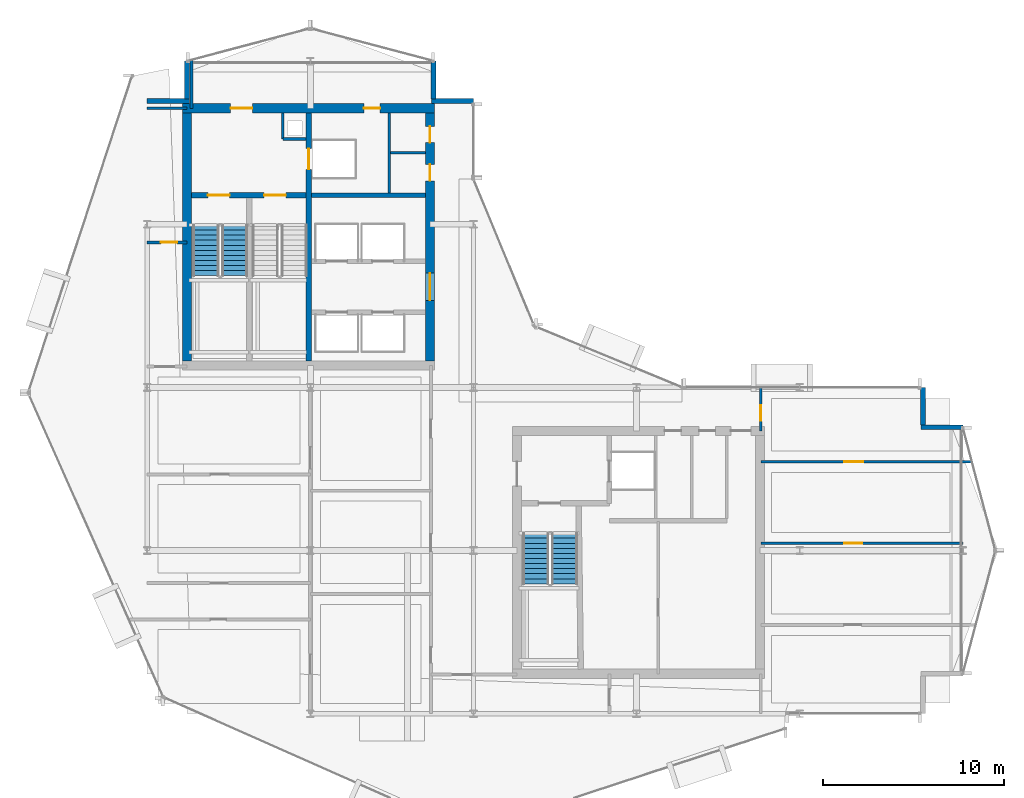
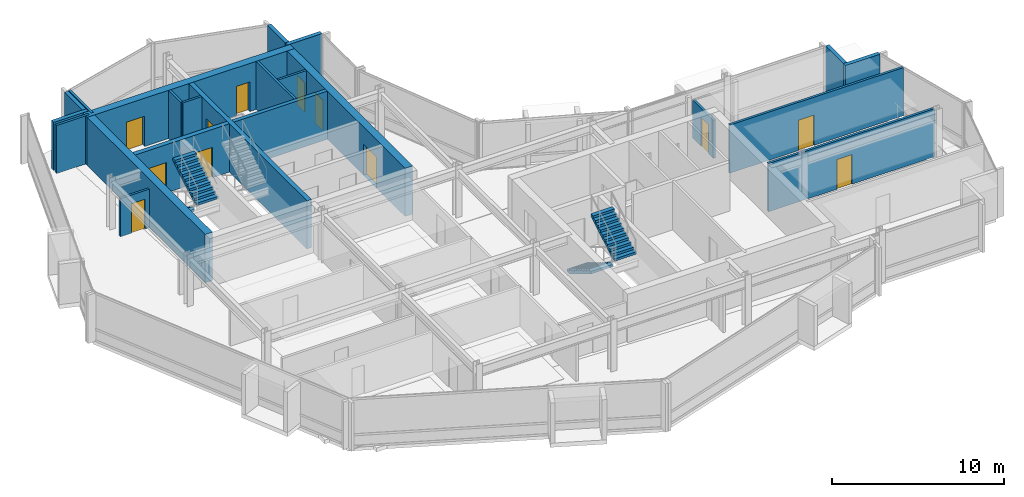
# One storey, part 21 of 28: 22 walls, 12 doors, 4 stair flights, 12 openings, 2 elements without a shape of their own.
"""IFC4 building model written with IfcOpenShell, lengths in metres."""

from ifc_helpers import new_model, si_unit, direction, frame, frame_2d, origin, place, context, subcontext, project, spatial, polyline, rectangle, outline, extrude, material, layer, layer_set, type_object, element, fill, aggregate, save


model = new_model("IFC4")

# Units and contexts
model_context = context("Model", 3, precision=1e-05, world=origin(), true_north=direction((0.0, 1.0)))
body_context = subcontext(model_context, "Body", "Model", "MODEL_VIEW")
ifc_project = project(units=[si_unit("LENGTHUNIT", "METRE"), si_unit("AREAUNIT", "SQUARE_METRE"), si_unit("VOLUMEUNIT", "CUBIC_METRE"), si_unit("PLANEANGLEUNIT", "RADIAN"), si_unit("MASSUNIT", "GRAM", prefix="KILO")], contexts=[model_context])

# Site, building, storey
site_placement = place(None, origin())
site = spatial("IfcSite", under=ifc_project, at=site_placement, CompositionType="ELEMENT")
building_placement = place(site_placement, origin())
building = spatial("IfcBuilding", under=site, at=building_placement, Name="Solvaryn Broadcast Tower", CompositionType="ELEMENT")
storey_placement = place(building_placement, frame((0.0, 0.0, 217.300048828125)))
storey = spatial("IfcBuildingStorey", under=building, at=storey_placement, Name="L54", CompositionType="ELEMENT", Elevation=217.300048828125)

# Wall, openings, doors
ifc_material_1 = material(Name="Concrete f'c 70 MPa", Category="concrete")
ifc_layer_1 = layer(ifc_material_1, 0.5)
ifc_layer_set_1 = layer_set([ifc_layer_1], Name="CW-SHEAR-500")
wall_type_1 = type_object("IfcWallType", Name="CW-SHEAR-500", PredefinedType="SHEAR", material=ifc_layer_set_1)
wall_1_placement = place(storey_placement, frame((24.85009765625, 42.39990234375, 0.0), z_axis=(0.0, 0.0, 1.0), x_axis=(-1.0, 0.0, 0.0)))
wall_1 = element("IfcWall", 1, at=wall_1_placement, inside=storey, type_object=wall_type_1, Name="L54 West Core North Shear Wall", PredefinedType="SHEAR", context=body_context, shape_type="SweptSolid", body=[
    extrude(rectangle(XDim=13.900146484375, YDim=0.5, at=frame_2d((6.9501953125, 0.0))), origin(), (0.0, 0.0, 1.0), 3.419921875),
])
opening_1_placement = place(wall_1_placement, frame((10.050048828125, 0.0, 0.0)))
opening_1 = element("IfcOpeningElement", 2, at=opening_1_placement, cuts=wall_1, Name="Opening FD90A", PredefinedType="OPENING", context=body_context, shape_type="SweptSolid", body=[
    extrude(rectangle(XDim=1.199951171875, YDim=2.14990234375, at=frame_2d((0.60009765625, 1.074951171875))), frame((0.0, 0.260009765625, 0.0), z_axis=(0.0, -1.0, 0.0), x_axis=(1.0, 0.0, 0.0)), (0.0, 0.0, 1.0), 0.52001953125),
])
opening_2_placement = place(wall_1_placement, frame((3.0, 0.0, 0.0)))
opening_2 = element("IfcOpeningElement", 3, at=opening_2_placement, cuts=wall_1, Name="Opening FD60C", PredefinedType="OPENING", context=body_context, shape_type="SweptSolid", body=[
    extrude(rectangle(XDim=0.89990234375, YDim=2.10009765625, at=frame_2d((0.449951171875, 1.050048828125))), frame((0.0, 0.260009765625, 0.0), z_axis=(0.0, -1.0, 0.0), x_axis=(1.0, 0.0, 0.0)), (0.0, 0.0, 1.0), 0.52001953125),
])
ifc_material_2 = material(Name="Flush Acoustic Steel and Timber Door Assembly", Category="steel")
door_type_1 = type_object("IfcDoorType", Name="FD60-SERV-900X2100", OperationType="NOTDEFINED", PredefinedType="DOOR", material=ifc_material_2)
door_1_placement = place(opening_2_placement, origin())
door_1 = element("IfcDoor", 4, at=door_1_placement, inside=storey, type_object=door_type_1, Name="L54 West Core Fiber Riser Door", OperationType="SINGLE_SWING_RIGHT", OverallHeight=2.10009765625, OverallWidth=0.89990234375, PredefinedType="DOOR", context=body_context, shape_type="SweptSolid", body=[
    extrude(rectangle(XDim=0.89990234375, YDim=2.10009765625, at=frame_2d((0.449951171875, 1.050048828125))), frame((0.0, 0.02490234375, 0.0), z_axis=(0.0, -1.0, 0.0), x_axis=(1.0, 0.0, 0.0)), (0.0, 0.0, 1.0), 0.050048828125),
])
fill(opening_2, door_1)
ifc_material_3 = material(Name="Flush Acoustic Steel and Timber Door Assembly", Category="steel")
door_type_2 = type_object("IfcDoorType", Name="FD90-STAIR-1200X2150", OperationType="NOTDEFINED", PredefinedType="DOOR", material=ifc_material_3)
door_2_placement = place(opening_1_placement, origin())
door_2 = element("IfcDoor", 5, at=door_2_placement, inside=storey, type_object=door_type_2, Name="L54 West FSAE Lobby Corridor Door", OperationType="SINGLE_SWING_LEFT", OverallHeight=2.14990234375, OverallWidth=1.199951171875, PredefinedType="DOOR", context=body_context, shape_type="SweptSolid", body=[
    extrude(rectangle(XDim=1.199951171875, YDim=2.14990234375, at=frame_2d((0.60009765625, 1.074951171875))), frame((0.0, 0.02490234375, 0.0), z_axis=(0.0, -1.0, 0.0), x_axis=(1.0, 0.0, 0.0)), (0.0, 0.0, 1.0), 0.050048828125),
])
fill(opening_1, door_2)

# Wall
wall_2_placement = place(storey_placement, frame((11.199951171875, 42.14990234375, 0.0), z_axis=(0.0, 0.0, 1.0), x_axis=(0.0, -1.0, 0.0)))
element("IfcWall", 6, at=wall_2_placement, inside=storey, type_object=wall_type_1, Name="L54 West Core West Shear Wall", PredefinedType="SHEAR", context=body_context, shape_type="SweptSolid", body=[
    extrude(rectangle(XDim=13.699951171875, YDim=0.5, at=frame_2d((6.85009765625, 0.0))), origin(), (0.0, 0.0, 1.0), 3.419921875),
])

# Wall, openings, doors
wall_3_placement = place(storey_placement, frame((24.60009765625, 28.449951171875, 0.0), z_axis=(0.0, 0.0, 1.0), x_axis=(0.0, 1.0, 0.0)))
wall_3 = element("IfcWall", 7, at=wall_3_placement, inside=storey, type_object=wall_type_1, Name="L54 West Core East Shear Wall", PredefinedType="SHEAR", context=body_context, shape_type="SweptSolid", body=[
    extrude(rectangle(XDim=13.699951171875, YDim=0.5, at=frame_2d((6.85009765625, 0.0))), origin(), (0.0, 0.0, 1.0), 3.419921875),
])
opening_3_placement = place(wall_3_placement, frame((3.35009765625, 0.0, 0.0)))
opening_3 = element("IfcOpeningElement", 8, at=opening_3_placement, cuts=wall_3, Name="Opening FD60A", PredefinedType="OPENING", context=body_context, shape_type="SweptSolid", body=[
    extrude(rectangle(XDim=1.5, YDim=2.199951171875, at=frame_2d((0.75, 1.10009765625))), frame((0.0, 0.260009765625, 0.0), z_axis=(0.0, -1.0, 0.0), x_axis=(1.0, 0.0, 0.0)), (0.0, 0.0, 1.0), 0.52001953125),
])
opening_4_placement = place(wall_3_placement, frame((9.949951171875, 0.0, 0.0)))
opening_4 = element("IfcOpeningElement", 9, at=opening_4_placement, cuts=wall_3, Name="Opening FD60C", PredefinedType="OPENING", context=body_context, shape_type="SweptSolid", body=[
    extrude(rectangle(XDim=0.89990234375, YDim=2.10009765625, at=frame_2d((0.449951171875, 1.050048828125))), frame((0.0, 0.260009765625, 0.0), z_axis=(0.0, -1.0, 0.0), x_axis=(1.0, 0.0, 0.0)), (0.0, 0.0, 1.0), 0.52001953125),
])
opening_5_placement = place(wall_3_placement, frame((12.050048828125, 0.0, 0.0)))
opening_5 = element("IfcOpeningElement", 10, at=opening_5_placement, cuts=wall_3, Name="Opening FD60C", PredefinedType="OPENING", context=body_context, shape_type="SweptSolid", body=[
    extrude(rectangle(XDim=0.89990234375, YDim=2.10009765625, at=frame_2d((0.449951171875, 1.050048828125))), frame((0.0, 0.260009765625, 0.0), z_axis=(0.0, -1.0, 0.0), x_axis=(1.0, 0.0, 0.0)), (0.0, 0.0, 1.0), 0.52001953125),
])
ifc_material_4 = material(Name="Flush Acoustic Steel and Timber Door Assembly", Category="steel")
door_type_3 = type_object("IfcDoorType", Name="FD60-CORR-1500X2200", OperationType="NOTDEFINED", PredefinedType="DOOR", material=ifc_material_4)
door_3_placement = place(opening_3_placement, origin())
door_3 = element("IfcDoor", 11, at=door_3_placement, inside=storey, type_object=door_type_3, Name="L54 West Elevator Lobby Corridor Door", OperationType="DOUBLE_DOOR_SINGLE_SWING", OverallHeight=2.199951171875, OverallWidth=1.5, PredefinedType="DOOR", context=body_context, shape_type="SweptSolid", body=[
    extrude(rectangle(XDim=1.5, YDim=2.199951171875, at=frame_2d((0.75, 1.10009765625))), frame((0.0, 0.02490234375, 0.0), z_axis=(0.0, -1.0, 0.0), x_axis=(1.0, 0.0, 0.0)), (0.0, 0.0, 1.0), 0.050048828125),
])
fill(opening_3, door_3)
door_4_placement = place(opening_4_placement, origin())
door_4 = element("IfcDoor", 12, at=door_4_placement, inside=storey, type_object=door_type_1, Name="L54 West Core Service Door 1", OperationType="SINGLE_SWING_LEFT", OverallHeight=2.10009765625, OverallWidth=0.89990234375, PredefinedType="DOOR", context=body_context, shape_type="SweptSolid", body=[
    extrude(rectangle(XDim=0.89990234375, YDim=2.10009765625, at=frame_2d((0.449951171875, 1.050048828125))), frame((0.0, 0.02490234375, 0.0), z_axis=(0.0, -1.0, 0.0), x_axis=(1.0, 0.0, 0.0)), (0.0, 0.0, 1.0), 0.050048828125),
])
fill(opening_4, door_4)
door_5_placement = place(opening_5_placement, origin())
door_5 = element("IfcDoor", 13, at=door_5_placement, inside=storey, type_object=door_type_1, Name="L54 West Core Janitor Door", OperationType="SINGLE_SWING_RIGHT", OverallHeight=2.10009765625, OverallWidth=0.89990234375, PredefinedType="DOOR", context=body_context, shape_type="SweptSolid", body=[
    extrude(rectangle(XDim=0.89990234375, YDim=2.10009765625, at=frame_2d((0.449951171875, 1.050048828125))), frame((0.0, 0.02490234375, 0.0), z_axis=(0.0, -1.0, 0.0), x_axis=(1.0, 0.0, 0.0)), (0.0, 0.0, 1.0), 0.050048828125),
])
fill(opening_5, door_5)

# Walls
ifc_material_5 = material(Name="Concrete f'c 50 MPa", Category="concrete")
ifc_layer_2 = layer(ifc_material_5, 0.260009765625)
ifc_layer_set_2 = layer_set([ifc_layer_2], Name="EW-PIER-260")
wall_type_2 = type_object("IfcWallType", Name="EW-PIER-260", PredefinedType="SOLIDWALL", material=ifc_layer_set_2)
wall_4_placement = place(storey_placement, frame((9.0, 42.800048828125, 0.0), z_axis=(0.0, 0.0, 1.0), x_axis=(1.0, 0.0, 0.0)))
element("IfcWall", 14, at=wall_4_placement, inside=storey, type_object=wall_type_2, Name="L54 Notched Corner Pier Wall NNW1", PredefinedType="SOLIDWALL", context=body_context, shape_type="SweptSolid", body=[
    extrude(rectangle(XDim=2.320068359375, YDim=0.260009765625, at=frame_2d((1.16015625, 0.0))), origin(), (0.0, 0.0, 1.0), 3.419921875),
])
for number, where, z_axis, x_axis, name in (
    (15, (11.199951171875, 42.919921875, 0.0), (0.0, 0.0, 1.0), (0.0, 1.0, 0.0), "L54 Notched Corner Pier Wall NNW2"),
    (16, (24.800048828125, 45.0, 0.0), (0.0, 0.0, 1.0), (0.0, -1.0, 0.0), "L54 Notched Corner Pier Wall NNE1"),
):
    element("IfcWall", number, at=place(storey_placement, frame(where, z_axis=z_axis, x_axis=x_axis)), inside=storey, type_object=wall_type_2, Name=name, PredefinedType="SOLIDWALL", context=body_context, shape_type="SweptSolid", body=[
        extrude(rectangle(XDim=2.080078125, YDim=0.260009765625, at=frame_2d((1.0400390625, 0.0))), origin(), (0.0, 0.0, 1.0), 3.419921875),
    ])
for number, where, z_axis, x_axis, name in (
    (17, (24.679931640625, 42.800048828125, 0.0), (0.0, 0.0, 1.0), (1.0, 0.0, 0.0), "L54 Notched Corner Pier Wall NNE2"),
    (18, (54.0, 24.800048828125, 0.0), (0.0, 0.0, 1.0), (-1.0, 0.0, 0.0), "L54 Notched Corner Pier Wall NEE1"),
):
    element("IfcWall", number, at=place(storey_placement, frame(where, z_axis=z_axis, x_axis=x_axis)), inside=storey, type_object=wall_type_2, Name=name, PredefinedType="SOLIDWALL", context=body_context, shape_type="SweptSolid", body=[
        extrude(rectangle(XDim=2.320068359375, YDim=0.260009765625, at=frame_2d((1.16015625, 0.0))), origin(), (0.0, 0.0, 1.0), 3.419921875),
    ])
wall_5_placement = place(storey_placement, frame((51.800048828125, 24.919921875, 0.0), z_axis=(0.0, 0.0, 1.0), x_axis=(0.0, 1.0, 0.0)))
element("IfcWall", 19, at=wall_5_placement, inside=storey, type_object=wall_type_2, Name="L54 Notched Corner Pier Wall NEE2", PredefinedType="SOLIDWALL", context=body_context, shape_type="SweptSolid", body=[
    extrude(rectangle(XDim=2.080078125, YDim=0.260009765625, at=frame_2d((1.0400390625, 0.0))), origin(), (0.0, 0.0, 1.0), 3.419921875),
])
ifc_material_6 = material(Name="Metal-Stud Service Core Partition")
ifc_layer_3 = layer(ifc_material_6, 0.14990234375)
ifc_layer_set_3 = layer_set([ifc_layer_3], Name="IW-PART-150")
wall_type_3 = type_object("IfcWallType", Name="IW-PART-150", PredefinedType="PARTITIONING", material=ifc_layer_set_3)
wall_6_placement = place(storey_placement, frame((16.47998046875, 40.699951171875, 0.0), z_axis=(0.0, 0.0, 1.0), x_axis=(1.0, 0.0, 0.0)))
element("IfcWall", 20, at=wall_6_placement, inside=storey, type_object=wall_type_3, Name="L54 West Core Riser Shaft South Wall", PredefinedType="PARTITIONING", context=body_context, shape_type="SweptSolid", body=[
    extrude(rectangle(XDim=1.2900390625, YDim=0.14990234375, at=frame_2d((0.64501953125, 0.0))), origin(), (0.0, 0.0, 1.0), 3.419921875),
])
wall_7_placement = place(storey_placement, frame((16.47998046875, 40.699951171875, 0.0), z_axis=(0.0, 0.0, 1.0), x_axis=(0.0, 1.0, 0.0)))
element("IfcWall", 21, at=wall_7_placement, inside=storey, type_object=wall_type_3, Name="L54 West Core Riser Shaft West Wall", PredefinedType="PARTITIONING", context=body_context, shape_type="SweptSolid", body=[
    extrude(rectangle(XDim=1.449951171875, YDim=0.14990234375, at=frame_2d((0.72509765625, 0.0))), origin(), (0.0, 0.0, 1.0), 3.419921875),
])
wall_8_placement = place(storey_placement, frame((22.35009765625, 37.72998046875, 0.0), z_axis=(0.0, 0.0, 1.0), x_axis=(0.0, 1.0, 0.0)))
element("IfcWall", 22, at=wall_8_placement, inside=storey, type_object=wall_type_3, Name="L54 Interior Partition IW-L54-CWS-V", PredefinedType="PARTITIONING", context=body_context, shape_type="SweptSolid", body=[
    extrude(rectangle(XDim=4.419921875, YDim=0.14990234375, at=frame_2d((2.2099609375, 0.0))), origin(), (0.0, 0.0, 1.0), 3.419921875),
])
wall_9_placement = place(storey_placement, frame((22.429931640625, 39.949951171875, 0.0), z_axis=(0.0, 0.0, 1.0), x_axis=(1.0, 0.0, 0.0)))
element("IfcWall", 23, at=wall_9_placement, inside=storey, type_object=wall_type_3, Name="L54 Interior Partition IW-L54-CWS-H", PredefinedType="PARTITIONING", context=body_context, shape_type="SweptSolid", body=[
    extrude(rectangle(XDim=1.920166015625, YDim=0.14990234375, at=frame_2d((0.9599609375, 0.0))), origin(), (0.0, 0.0, 1.0), 3.419921875),
])

# Wall, opening, door
wall_10_placement = place(storey_placement, frame((9.0, 35.0, 0.0), z_axis=(0.0, 0.0, 1.0), x_axis=(1.0, 0.0, 0.0)))
wall_10 = element("IfcWall", 24, at=wall_10_placement, inside=storey, type_object=wall_type_3, Name="L54 Interior Partition IW-L54-WM-M", PredefinedType="PARTITIONING", context=body_context, shape_type="SweptSolid", body=[
    extrude(rectangle(XDim=2.199951171875, YDim=0.14990234375, at=frame_2d((1.10009765625, 0.0))), origin(), (0.0, 0.0, 1.0), 2.70703125),
])
opening_6_placement = place(wall_10_placement, frame((0.75, 0.0, 0.0)))
opening_6 = element("IfcOpeningElement", 25, at=opening_6_placement, cuts=wall_10, Name="Opening FD60C", PredefinedType="OPENING", context=body_context, shape_type="SweptSolid", body=[
    extrude(rectangle(XDim=0.89990234375, YDim=2.10009765625, at=frame_2d((0.449951171875, 1.050048828125))), frame((0.0, 0.0849609375, 0.0), z_axis=(0.0, -1.0, 0.0), x_axis=(1.0, 0.0, 0.0)), (0.0, 0.0, 1.0), 0.169921875),
])
door_6_placement = place(opening_6_placement, origin())
door_6 = element("IfcDoor", 26, at=door_6_placement, inside=storey, type_object=door_type_1, Name="L54 Door DR-L54-WM1", OperationType="SINGLE_SWING_LEFT", OverallHeight=2.10009765625, OverallWidth=0.89990234375, PredefinedType="DOOR", context=body_context, shape_type="SweptSolid", body=[
    extrude(rectangle(XDim=0.89990234375, YDim=2.10009765625, at=frame_2d((0.449951171875, 1.050048828125))), frame((0.0, 0.02490234375, 0.0), z_axis=(0.0, -1.0, 0.0), x_axis=(1.0, 0.0, 0.0)), (0.0, 0.0, 1.0), 0.050048828125),
])
fill(opening_6, door_6)

# Walls
ifc_material_7 = material(Name="Metal-Stud Gypsum Office Partition")
ifc_layer_4 = layer(ifc_material_7, 0.159912109375)
ifc_layer_set_4 = layer_set([ifc_layer_4], Name="IW-PART-160")
wall_type_4 = type_object("IfcWallType", Name="IW-PART-160", PredefinedType="PARTITIONING", material=ifc_layer_set_4)
wall_11_placement = place(storey_placement, frame((9.0, 42.39990234375, 0.0), z_axis=(0.0, 0.0, 1.0), x_axis=(1.0, 0.0, 0.0)))
element("IfcWall", 27, at=wall_11_placement, inside=storey, type_object=wall_type_4, Name="L54 Interior Partition IW-L54-WM-N", PredefinedType="PARTITIONING", context=body_context, shape_type="SweptSolid", body=[
    extrude(rectangle(XDim=2.199951171875, YDim=0.159912109375, at=frame_2d((1.10009765625, 0.0))), origin(), (0.0, 0.0, 1.0), 3.419921875),
])
wall_12_placement = place(storey_placement, frame((11.449951171875, 42.39990234375, 0.0), z_axis=(0.0, 0.0, 1.0), x_axis=(0.0, 1.0, 0.0)))
element("IfcWall", 28, at=wall_12_placement, inside=storey, type_object=wall_type_4, Name="L54 Interior Partition IW-L54-WM-E", PredefinedType="PARTITIONING", context=body_context, shape_type="SweptSolid", body=[
    extrude(rectangle(XDim=2.666015625, YDim=0.159912109375, at=frame_2d((1.3330078125, 0.0))), origin(), (0.0, 0.0, 1.0), 3.419921875),
])

# Wall, opening, door
wall_13_placement = place(storey_placement, frame((42.85009765625, 24.60009765625, 0.0), z_axis=(0.0, 0.0, 1.0), x_axis=(0.0, 1.0, 0.0)))
wall_13 = element("IfcWall", 29, at=wall_13_placement, inside=storey, type_object=wall_type_4, Name="L54 Interior Partition IW-L54-EW-BN", PredefinedType="PARTITIONING", context=body_context, shape_type="SweptSolid", body=[
    extrude(rectangle(XDim=2.39990234375, YDim=0.159912109375, at=frame_2d((1.199951171875, 0.0))), origin(), (0.0, 0.0, 1.0), 2.70703125),
])
opening_7_placement = place(wall_13_placement, frame((0.550048828125, 0.0, 0.0)))
opening_7 = element("IfcOpeningElement", 30, at=opening_7_placement, cuts=wall_13, Name="Opening ID07", PredefinedType="OPENING", context=body_context, shape_type="SweptSolid", body=[
    extrude(rectangle(XDim=0.860107421875, YDim=2.050048828125, at=frame_2d((0.43017578125, 1.02490234375))), frame((0.0, 0.090087890625, 0.0), z_axis=(0.0, -1.0, 0.0), x_axis=(1.0, 0.0, 0.0)), (0.0, 0.0, 1.0), 0.179931640625),
])
ifc_material_8 = material(Name="Flush Acoustic Steel and Timber Door Assembly", Category="steel")
door_type_4 = type_object("IfcDoorType", Name="ID-07-860X2050", OperationType="NOTDEFINED", PredefinedType="DOOR", material=ifc_material_8)
door_7_placement = place(opening_7_placement, origin())
door_7 = element("IfcDoor", 31, at=door_7_placement, inside=storey, type_object=door_type_4, Name="L54 Door DR-L54-EW0", OperationType="SINGLE_SWING_RIGHT", OverallHeight=2.050048828125, OverallWidth=0.860107421875, PredefinedType="DOOR", context=body_context, shape_type="SweptSolid", body=[
    extrude(rectangle(XDim=0.860107421875, YDim=2.050048828125, at=frame_2d((0.43017578125, 1.02490234375))), frame((0.0, 0.02490234375, 0.0), z_axis=(0.0, -1.0, 0.0), x_axis=(1.0, 0.0, 0.0)), (0.0, 0.0, 1.0), 0.050048828125),
])
fill(opening_7, door_7)

wall_14_placement = place(storey_placement, frame((42.85009765625, 18.39990234375, 0.0), z_axis=(0.0, 0.0, 1.0), x_axis=(1.0, 0.0, 0.0)))
wall_14 = element("IfcWall", 32, at=wall_14_placement, inside=storey, type_object=wall_type_4, Name="L54 Interior Partition IW-L54-EW-H2", PredefinedType="PARTITIONING", context=body_context, shape_type="SweptSolid", body=[
    extrude(rectangle(XDim=11.14990234375, YDim=0.159912109375, at=frame_2d((5.574951171875, 0.0))), origin(), (0.0, 0.0, 1.0), 3.419921875),
])
opening_8_placement = place(wall_14_placement, frame((4.60009765625, 0.0, 0.0)))
opening_8 = element("IfcOpeningElement", 33, at=opening_8_placement, cuts=wall_14, Name="Opening ID02", PredefinedType="OPENING", context=body_context, shape_type="SweptSolid", body=[
    extrude(rectangle(XDim=1.0, YDim=2.10009765625, at=frame_2d((0.5, 1.050048828125))), frame((0.0, 0.090087890625, 0.0), z_axis=(0.0, -1.0, 0.0), x_axis=(1.0, 0.0, 0.0)), (0.0, 0.0, 1.0), 0.179931640625),
])
ifc_material_9 = material(Name="Flush Acoustic Steel and Timber Door Assembly", Category="steel")
door_type_5 = type_object("IfcDoorType", Name="ID-02-1000X2100", OperationType="NOTDEFINED", PredefinedType="DOOR", material=ifc_material_9)
door_8_placement = place(opening_8_placement, origin())
door_8 = element("IfcDoor", 34, at=door_8_placement, inside=storey, type_object=door_type_5, Name="L54 Door DR-L54-EW-2", OperationType="SINGLE_SWING_RIGHT", OverallHeight=2.10009765625, OverallWidth=1.0, PredefinedType="DOOR", context=body_context, shape_type="SweptSolid", body=[
    extrude(rectangle(XDim=1.0, YDim=2.10009765625, at=frame_2d((0.5, 1.050048828125))), frame((0.0, 0.02490234375, 0.0), z_axis=(0.0, -1.0, 0.0), x_axis=(1.0, 0.0, 0.0)), (0.0, 0.0, 1.0), 0.050048828125),
])
fill(opening_8, door_8)

wall_15_placement = place(storey_placement, frame((42.85009765625, 22.89990234375, 0.0), z_axis=(0.0, 0.0, 1.0), x_axis=(1.0, 0.0, 0.0)))
wall_15 = element("IfcWall", 35, at=wall_15_placement, inside=storey, type_object=wall_type_4, Name="L54 Interior Partition IW-L54-EW-H3", PredefinedType="PARTITIONING", context=body_context, shape_type="SweptSolid", body=[
    extrude(rectangle(XDim=11.65283203125, YDim=0.159912109375, at=frame_2d((5.826416015625, 0.0))), origin(), (0.0, 0.0, 1.0), 3.419921875),
])
opening_9_placement = place(wall_15_placement, frame((4.60009765625, 0.0, 0.0)))
opening_9 = element("IfcOpeningElement", 36, at=opening_9_placement, cuts=wall_15, Name="Opening ID03", PredefinedType="OPENING", context=body_context, shape_type="SweptSolid", body=[
    extrude(rectangle(XDim=1.050048828125, YDim=2.14990234375, at=frame_2d((0.52490234375, 1.074951171875))), frame((0.0, 0.090087890625, 0.0), z_axis=(0.0, -1.0, 0.0), x_axis=(1.0, 0.0, 0.0)), (0.0, 0.0, 1.0), 0.179931640625),
])
ifc_material_10 = material(Name="Flush Acoustic Steel and Timber Door Assembly", Category="steel")
door_type_6 = type_object("IfcDoorType", Name="ID-03-1050X2150", OperationType="NOTDEFINED", PredefinedType="DOOR", material=ifc_material_10)
door_9_placement = place(opening_9_placement, origin())
door_9 = element("IfcDoor", 37, at=door_9_placement, inside=storey, type_object=door_type_6, Name="L54 Door DR-L54-EW-3", OperationType="SINGLE_SWING_LEFT", OverallHeight=2.14990234375, OverallWidth=1.050048828125, PredefinedType="DOOR", context=body_context, shape_type="SweptSolid", body=[
    extrude(rectangle(XDim=1.050048828125, YDim=2.14990234375, at=frame_2d((0.52490234375, 1.074951171875))), frame((0.0, 0.02490234375, 0.0), z_axis=(0.0, -1.0, 0.0), x_axis=(1.0, 0.0, 0.0)), (0.0, 0.0, 1.0), 0.050048828125),
])
fill(opening_9, door_9)

# Wall
ifc_material_11 = material(Name="Concrete f'c 60 MPa", Category="concrete")
ifc_layer_5 = layer(ifc_material_11, 0.25)
ifc_layer_set_5 = layer_set([ifc_layer_5], Name="SW-SHAFT-250")
wall_type_5 = type_object("IfcWallType", Name="SW-SHAFT-250", PredefinedType="PARTITIONING", material=ifc_layer_set_5)
wall_16_placement = place(storey_placement, frame((18.070068359375, 37.60009765625, 0.0), z_axis=(0.0, 0.0, 1.0), x_axis=(1.0, 0.0, 0.0)))
element("IfcWall", 38, at=wall_16_placement, inside=storey, type_object=wall_type_5, Name="L54 West Core FSAE Hoistway Front Wall", PredefinedType="PARTITIONING", context=body_context, shape_type="SweptSolid", body=[
    extrude(rectangle(XDim=6.280029296875, YDim=0.25, at=frame_2d((3.14013671875, 0.0))), origin(), (0.0, 0.0, 1.0), 3.419921875),
])

# Wall, opening, door
ifc_material_12 = material(Name="Concrete f'c 70 MPa", Category="concrete")
ifc_layer_6 = layer(ifc_material_12, 0.300048828125)
ifc_layer_set_6 = layer_set([ifc_layer_6], Name="SW-SHAFT-300")
wall_type_6 = type_object("IfcWallType", Name="SW-SHAFT-300", PredefinedType="SHEAR", material=ifc_layer_set_6)
wall_17_placement = place(storey_placement, frame((17.919921875, 42.14990234375, 0.0), z_axis=(0.0, 0.0, 1.0), x_axis=(0.0, -1.0, 0.0)))
wall_17 = element("IfcWall", 39, at=wall_17_placement, inside=storey, type_object=wall_type_6, Name="L54 West Core Stair-Lobby Shear Wall", PredefinedType="SHEAR", context=body_context, shape_type="SweptSolid", body=[
    extrude(rectangle(XDim=13.699951171875, YDim=0.300048828125, at=frame_2d((6.85009765625, 0.0))), origin(), (0.0, 0.0, 1.0), 3.419921875),
])
opening_10_placement = place(wall_17_placement, frame((1.97509765625, 0.0, 0.0)))
opening_10 = element("IfcOpeningElement", 40, at=opening_10_placement, cuts=wall_17, Name="Opening LD01", PredefinedType="OPENING", context=body_context, shape_type="SweptSolid", body=[
    extrude(rectangle(XDim=1.14990234375, YDim=2.14990234375, at=frame_2d((0.574951171875, 1.074951171875))), frame((0.0, 0.159912109375, 0.0), z_axis=(0.0, -1.0, 0.0), x_axis=(1.0, 0.0, 0.0)), (0.0, 0.0, 1.0), 0.320068359375),
])
ifc_material_13 = material(Name="Flush Acoustic Steel and Timber Door Assembly", Category="steel")
door_type_7 = type_object("IfcDoorType", Name="LD-LIFT-1150X2150", OperationType="NOTDEFINED", PredefinedType="DOOR", material=ifc_material_13)
door_10_placement = place(opening_10_placement, origin())
door_10 = element("IfcDoor", 41, at=door_10_placement, inside=storey, type_object=door_type_7, Name="L54 FL1 Lift Landing Door", OperationType="DOUBLE_DOOR_SLIDING", OverallHeight=2.14990234375, OverallWidth=1.14990234375, PredefinedType="DOOR", context=body_context, shape_type="SweptSolid", body=[
    extrude(rectangle(XDim=1.14990234375, YDim=2.14990234375, at=frame_2d((0.574951171875, 1.074951171875))), frame((0.0, 0.02490234375, 0.0), z_axis=(0.0, -1.0, 0.0), x_axis=(1.0, 0.0, 0.0)), (0.0, 0.0, 1.0), 0.050048828125),
])
fill(opening_10, door_10)

# Wall, openings, doors
wall_18_placement = place(storey_placement, frame((17.77001953125, 37.60009765625, 0.0), z_axis=(0.0, 0.0, 1.0), x_axis=(-1.0, 0.0, 0.0)))
wall_18 = element("IfcWall", 42, at=wall_18_placement, inside=storey, type_object=wall_type_6, Name="L54 West Core FSAE Lobby South Wall", PredefinedType="SHEAR", context=body_context, shape_type="SweptSolid", body=[
    extrude(rectangle(XDim=6.320068359375, YDim=0.300048828125, at=frame_2d((3.16015625, 0.0))), origin(), (0.0, 0.0, 1.0), 3.419921875),
])
opening_11_placement = place(wall_18_placement, frame((4.219970703125, 0.0, 0.0)))
opening_11 = element("IfcOpeningElement", 43, at=opening_11_placement, cuts=wall_18, Name="Opening FD90A", PredefinedType="OPENING", context=body_context, shape_type="SweptSolid", body=[
    extrude(rectangle(XDim=1.199951171875, YDim=2.14990234375, at=frame_2d((0.60009765625, 1.074951171875))), frame((0.0, 0.159912109375, 0.0), z_axis=(0.0, -1.0, 0.0), x_axis=(1.0, 0.0, 0.0)), (0.0, 0.0, 1.0), 0.320068359375),
])
opening_12_placement = place(wall_18_placement, frame((1.1201171875, 0.0, 0.0)))
opening_12 = element("IfcOpeningElement", 44, at=opening_12_placement, cuts=wall_18, Name="Opening FD90A", PredefinedType="OPENING", context=body_context, shape_type="SweptSolid", body=[
    extrude(rectangle(XDim=1.199951171875, YDim=2.14990234375, at=frame_2d((0.60009765625, 1.074951171875))), frame((0.0, 0.159912109375, 0.0), z_axis=(0.0, -1.0, 0.0), x_axis=(1.0, 0.0, 0.0)), (0.0, 0.0, 1.0), 0.320068359375),
])
door_11_placement = place(opening_11_placement, origin())
door_11 = element("IfcDoor", 45, at=door_11_placement, inside=storey, type_object=door_type_2, Name="L54 Stair 1 Fire Door", OperationType="SINGLE_SWING_LEFT", OverallHeight=2.14990234375, OverallWidth=1.199951171875, PredefinedType="DOOR", context=body_context, shape_type="SweptSolid", body=[
    extrude(rectangle(XDim=1.199951171875, YDim=2.14990234375, at=frame_2d((0.60009765625, 1.074951171875))), frame((0.0, 0.02490234375, 0.0), z_axis=(0.0, -1.0, 0.0), x_axis=(1.0, 0.0, 0.0)), (0.0, 0.0, 1.0), 0.050048828125),
])
fill(opening_11, door_11)
door_12_placement = place(opening_12_placement, origin())
door_12 = element("IfcDoor", 46, at=door_12_placement, inside=storey, type_object=door_type_2, Name="L54 Stair 2 Fire Door", OperationType="SINGLE_SWING_RIGHT", OverallHeight=2.14990234375, OverallWidth=1.199951171875, PredefinedType="DOOR", context=body_context, shape_type="SweptSolid", body=[
    extrude(rectangle(XDim=1.199951171875, YDim=2.14990234375, at=frame_2d((0.60009765625, 1.074951171875))), frame((0.0, 0.02490234375, 0.0), z_axis=(0.0, -1.0, 0.0), x_axis=(1.0, 0.0, 0.0)), (0.0, 0.0, 1.0), 0.050048828125),
])
fill(opening_12, door_12)

# Stair, stair flights
ifc_material_14 = material(Name="Concrete f'c 60 MPa", Category="concrete")
stair_type = type_object("IfcStairType", Name="ST-CORE", PredefinedType="HALF_TURN_STAIR", material=ifc_material_14)
stair_1_placement = place(storey_placement, origin())
stair_1 = element("IfcStair", 47, at=stair_1_placement, inside=storey, type_object=stair_type, Name="L54 ST1", PredefinedType="HALF_TURN_STAIR")
ifc_material_15 = material(Name="Concrete f'c 60 MPa", Category="concrete")
ifc_layer_7 = layer(ifc_material_15, 0.159912109375)
ifc_layer_set_7 = layer_set([ifc_layer_7], Name="SF-CORE")
stair_flight_type = type_object("IfcStairFlightType", Name="SF-CORE", PredefinedType="STRAIGHT", material=ifc_layer_set_7)
stair_flight_1_placement = place(storey_placement, frame((12.239990234375, 35.9599609375, 0.0), z_axis=(0.0, 0.0, 1.0), x_axis=(0.0, -1.0, 0.0)))
stair_flight_1 = element("IfcStairFlight", 48, at=stair_flight_1_placement, type_object=stair_flight_type, Name="ST1 flight 1", NumberOfRisers=11, NumberOfTreads=10, PredefinedType="STRAIGHT", RiserHeight=0.168181818, TreadLength=0.28, context=body_context, shape_type="SweptSolid", body=[
    extrude(outline(polyline([(0.0, 0.0), (0.0, 0.168212890625), (0.280029296875, 0.168212890625), (0.280029296875, 0.33642578125), (0.56005859375, 0.33642578125), (0.56005859375, 0.504638671875), (0.840087890625, 0.504638671875), (0.840087890625, 0.672607421875), (1.1201171875, 0.672607421875), (1.1201171875, 0.8408203125), (1.39990234375, 0.8408203125), (1.39990234375, 1.009033203125), (1.679931640625, 1.009033203125), (1.679931640625, 1.17724609375), (1.9599609375, 1.17724609375), (1.9599609375, 1.345458984375), (2.239990234375, 1.345458984375), (2.239990234375, 1.513671875), (2.52001953125, 1.513671875), (2.52001953125, 1.681884765625), (2.800048828125, 1.681884765625), (2.800048828125, 1.85009765625), (2.800048828125, 1.5068359375), (0.291015625, 0.0), (0.0, 0.0)])), frame((0.0, 0.719970703125, 0.0), z_axis=(0.0, -1.0, 0.0), x_axis=(1.0, 0.0, 0.0)), (0.0, 0.0, 1.0), 1.43994140625),
])
stair_flight_2_placement = place(storey_placement, frame((13.830078125, 33.159912109375, 1.849853515625), z_axis=(0.0, 0.0, 1.0), x_axis=(0.0, 1.0, 0.0)))
stair_flight_2 = element("IfcStairFlight", 49, at=stair_flight_2_placement, type_object=stair_flight_type, Name="ST1 flight 2", NumberOfRisers=11, NumberOfTreads=10, PredefinedType="STRAIGHT", RiserHeight=0.168181818, TreadLength=0.28, context=body_context, shape_type="SweptSolid", body=[
    extrude(outline(polyline([(0.0, 0.0), (0.0, 0.168212890625), (0.280029296875, 0.168212890625), (0.280029296875, 0.33642578125), (0.56005859375, 0.33642578125), (0.56005859375, 0.504638671875), (0.840087890625, 0.504638671875), (0.840087890625, 0.672607421875), (1.1201171875, 0.672607421875), (1.1201171875, 0.8408203125), (1.39990234375, 0.8408203125), (1.39990234375, 1.009033203125), (1.679931640625, 1.009033203125), (1.679931640625, 1.17724609375), (1.9599609375, 1.17724609375), (1.9599609375, 1.345458984375), (2.239990234375, 1.345458984375), (2.239990234375, 1.513671875), (2.52001953125, 1.513671875), (2.52001953125, 1.681884765625), (2.800048828125, 1.681884765625), (2.800048828125, 1.85009765625), (2.800048828125, 1.5068359375), (0.291015625, 0.0), (0.0, 0.0)])), frame((0.0, 0.719970703125, 0.0), z_axis=(0.0, -1.0, 0.0), x_axis=(1.0, 0.0, 0.0)), (0.0, 0.0, 1.0), 1.43994140625),
])
aggregate(stair_1, [stair_flight_1, stair_flight_2])

stair_2_placement = place(storey_placement, origin())
stair_2 = element("IfcStair", 50, at=stair_2_placement, inside=storey, type_object=stair_type, Name="L54 ST3", PredefinedType="HALF_TURN_STAIR")
stair_flight_3_placement = place(storey_placement, frame((30.43994140625, 18.9599609375, 0.0), z_axis=(0.0, 0.0, 1.0), x_axis=(0.0, -1.0, 0.0)))
stair_flight_3 = element("IfcStairFlight", 51, at=stair_flight_3_placement, type_object=stair_flight_type, Name="ST3 flight 1", NumberOfRisers=11, NumberOfTreads=10, PredefinedType="STRAIGHT", RiserHeight=0.168181818, TreadLength=0.28, context=body_context, shape_type="SweptSolid", body=[
    extrude(outline(polyline([(0.0, 0.0), (0.0, 0.168212890625), (0.280029296875, 0.168212890625), (0.280029296875, 0.33642578125), (0.56005859375, 0.33642578125), (0.56005859375, 0.504638671875), (0.840087890625, 0.504638671875), (0.840087890625, 0.672607421875), (1.1201171875, 0.672607421875), (1.1201171875, 0.8408203125), (1.39990234375, 0.8408203125), (1.39990234375, 1.009033203125), (1.679931640625, 1.009033203125), (1.679931640625, 1.17724609375), (1.9599609375, 1.17724609375), (1.9599609375, 1.345458984375), (2.239990234375, 1.345458984375), (2.239990234375, 1.513671875), (2.52001953125, 1.513671875), (2.52001953125, 1.681884765625), (2.800048828125, 1.681884765625), (2.800048828125, 1.85009765625), (2.800048828125, 1.5068359375), (0.291015625, 0.0), (0.0, 0.0)])), frame((0.0, 0.719970703125, 0.0), z_axis=(0.0, -1.0, 0.0), x_axis=(1.0, 0.0, 0.0)), (0.0, 0.0, 1.0), 1.43994140625),
])
stair_flight_4_placement = place(storey_placement, frame((32.030029296875, 16.159912109375, 1.849853515625), z_axis=(0.0, 0.0, 1.0), x_axis=(0.0, 1.0, 0.0)))
stair_flight_4 = element("IfcStairFlight", 52, at=stair_flight_4_placement, type_object=stair_flight_type, Name="ST3 flight 2", NumberOfRisers=11, NumberOfTreads=10, PredefinedType="STRAIGHT", RiserHeight=0.168181818, TreadLength=0.28, context=body_context, shape_type="SweptSolid", body=[
    extrude(outline(polyline([(0.0, 0.0), (0.0, 0.168212890625), (0.280029296875, 0.168212890625), (0.280029296875, 0.33642578125), (0.56005859375, 0.33642578125), (0.56005859375, 0.504638671875), (0.840087890625, 0.504638671875), (0.840087890625, 0.672607421875), (1.1201171875, 0.672607421875), (1.1201171875, 0.8408203125), (1.39990234375, 0.8408203125), (1.39990234375, 1.009033203125), (1.679931640625, 1.009033203125), (1.679931640625, 1.17724609375), (1.9599609375, 1.17724609375), (1.9599609375, 1.345458984375), (2.239990234375, 1.345458984375), (2.239990234375, 1.513671875), (2.52001953125, 1.513671875), (2.52001953125, 1.681884765625), (2.800048828125, 1.681884765625), (2.800048828125, 1.85009765625), (2.800048828125, 1.5068359375), (0.291015625, 0.0), (0.0, 0.0)])), frame((0.0, 0.719970703125, 0.0), z_axis=(0.0, -1.0, 0.0), x_axis=(1.0, 0.0, 0.0)), (0.0, 0.0, 1.0), 1.43994140625),
])
aggregate(stair_2, [stair_flight_3, stair_flight_4])

save(model, "model.ifc")
